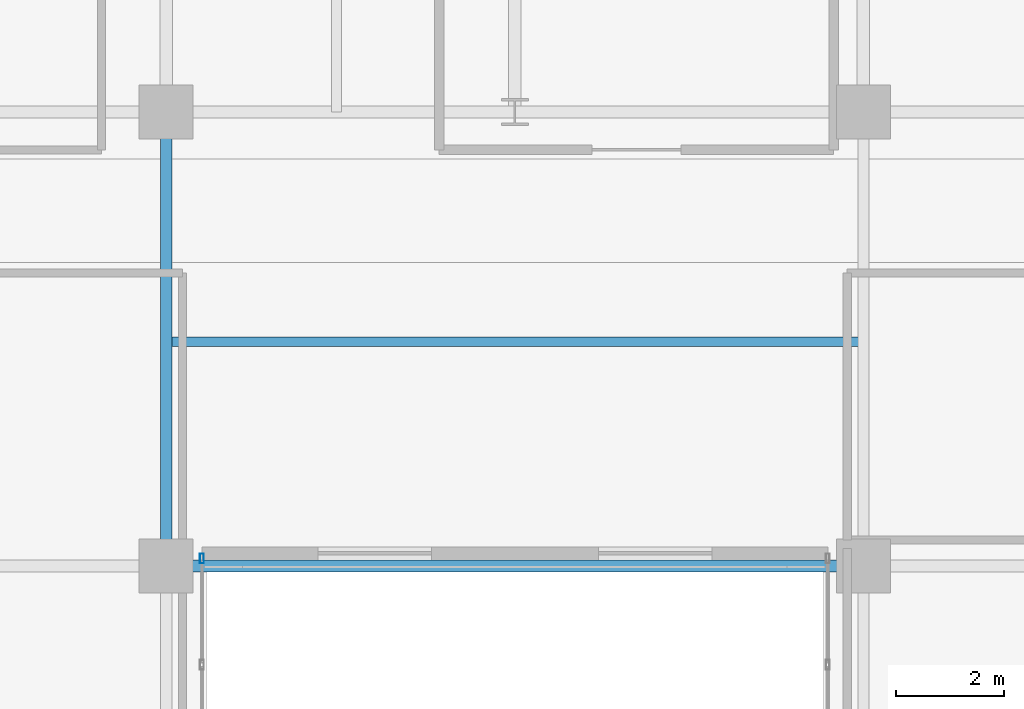
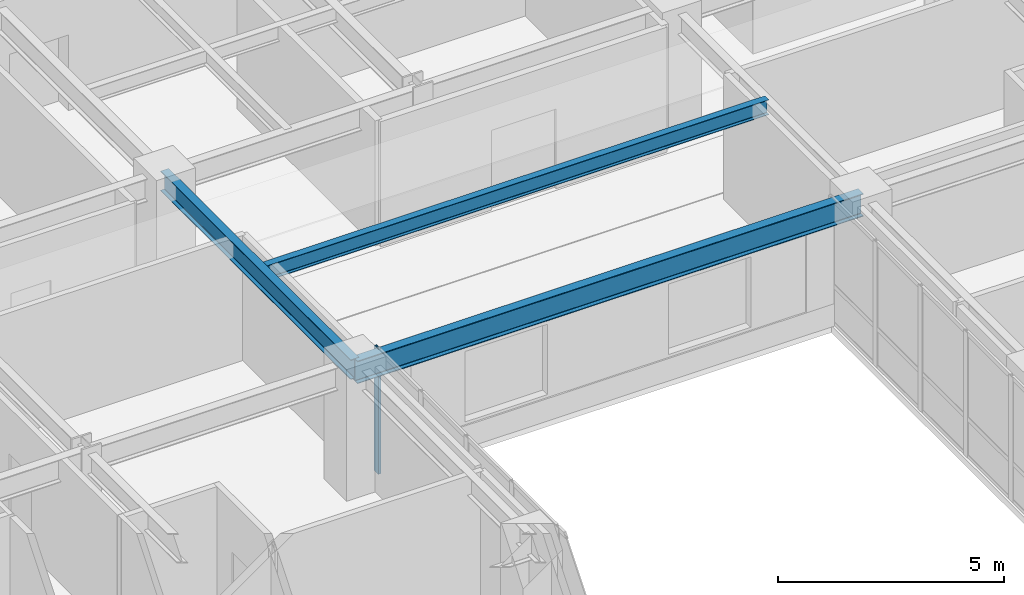
# One storey, part 12 of 37: 3 beams, 1 member, 1 element without a shape of its own.
"""IFC4 building model written with IfcOpenShell, lengths in metres."""

from ifc_helpers import new_model, si_unit, direction, frame, origin, origin_2d, place, context, subcontext, project, spatial, hollow_rectangle, i_section, extrude, source, transform, mapped, material, layer, layer_set, material_profile, profile_set, type_object, type_shapes, element, aggregate, save


model = new_model("IFC4")

# Units and contexts
model_context = context("Model", 3, precision=1e-05, world=origin(), true_north=direction((0.0, 1.0)))
body_context = subcontext(model_context, "Body", "Model", "MODEL_VIEW")
ifc_project = project(units=[si_unit("LENGTHUNIT", "METRE"), si_unit("AREAUNIT", "SQUARE_METRE"), si_unit("VOLUMEUNIT", "CUBIC_METRE"), si_unit("PLANEANGLEUNIT", "RADIAN"), si_unit("MASSUNIT", "GRAM", prefix="KILO")], contexts=[model_context])

# Site, building, storey
site_placement = place(None, origin())
site = spatial("IfcSite", under=ifc_project, at=site_placement, CompositionType="ELEMENT")
building_placement = place(site_placement, origin())
building = spatial("IfcBuilding", under=site, at=building_placement, Name="Tolvann Quenvar Hotel", CompositionType="ELEMENT")
storey_placement = place(building_placement, frame((0.0, 0.0, 53.300048828125)))
storey = spatial("IfcBuildingStorey", under=building, at=storey_placement, Name="L12", CompositionType="ELEMENT", Elevation=53.300048828125)

# Beams
ifc_material_1 = material(Name="Steel Grade 350", Category="steel")
ifc_material_profile_1 = material_profile(ifc_material_1, i_section(OverallWidth=0.22900390625, OverallDepth=0.612060546875, WebThickness=0.011962890625, FlangeThickness=0.01953125, FilletRadius=0.013916015625, at=origin_2d()), Name="610UB125")
ifc_profile_set_1 = profile_set([ifc_material_profile_1], Name="Steel Grade 350")
beam_type_1 = type_object("IfcBeamType", Name="BM_GIRD_610UB125", PredefinedType="BEAM", material=ifc_profile_set_1)
shared_shape_1 = source(origin(), body_context, "Body", "SweptSolid", [
    extrude(i_section(OverallWidth=0.22900390625, OverallDepth=0.612060546875, WebThickness=0.011962890625, FlangeThickness=0.01953125, FilletRadius=0.013916015625, at=origin_2d()), origin(), (0.0, 0.0, 1.0), 12.89990234375),
])
type_shapes(beam_type_1, [shared_shape_1])
beam_1_placement = place(storey_placement, frame((22.050048828125, 16.0, 3.06396484375), z_axis=(1.0, 0.0, 0.0), x_axis=(0.0, 1.0, 0.0)))
element("IfcBeam", 1, at=beam_1_placement, inside=storey, type_object=beam_type_1, Name="BM-L12-EW-4-E4-F4", PredefinedType="BEAM", context=body_context, shape_type="MappedRepresentation", body=[
    mapped(shared_shape_1, transform((0.0, 0.0, 0.0), x_axis=(1.0, 0.0, 0.0), y_axis=(0.0, 1.0, 0.0), z_axis=(0.0, 0.0, 1.0), scale=1.0)),
])
ifc_material_profile_2 = material_profile(ifc_material_1, i_section(OverallWidth=0.208984375, OverallDepth=0.532958984375, WebThickness=0.01025390625, FlangeThickness=0.015625, FilletRadius=0.013916015625, at=origin_2d()), Name="530UB92")
ifc_profile_set_2 = profile_set([ifc_material_profile_2], Name="Steel Grade 350")
beam_type_2 = type_object("IfcBeamType", Name="BM_GIRD_530UB92", PredefinedType="BEAM", material=ifc_profile_set_2)
shared_shape_2 = source(origin(), body_context, "Body", "SweptSolid", [
    extrude(i_section(OverallWidth=0.208984375, OverallDepth=0.532958984375, WebThickness=0.01025390625, FlangeThickness=0.015625, FilletRadius=0.013916015625, at=origin_2d()), origin(), (0.0, 0.0, 1.0), 8.39990234375),
])
type_shapes(beam_type_2, [shared_shape_2])
beam_2_placement = place(storey_placement, frame((22.050048828125, 16.0, 3.103515625), z_axis=(0.0, 1.0, 0.0), x_axis=(-1.0, 0.0, 0.0)))
element("IfcBeam", 2, at=beam_2_placement, inside=storey, type_object=beam_type_2, Name="BM-L12-NS-E4-E5", PredefinedType="BEAM", context=body_context, shape_type="MappedRepresentation", body=[
    mapped(shared_shape_2, transform((0.0, 0.0, 0.0), x_axis=(1.0, 0.0, 0.0), y_axis=(0.0, 1.0, 0.0), z_axis=(0.0, 0.0, 1.0), scale=1.0)),
])
ifc_material_profile_3 = material_profile(ifc_material_1, i_section(OverallWidth=0.177978515625, OverallDepth=0.406005859375, WebThickness=0.0078125, FlangeThickness=0.0126953125, FilletRadius=0.011474609375, at=origin_2d()), Name="410UB60")
ifc_profile_set_3 = profile_set([ifc_material_profile_3], Name="Steel Grade 350")
beam_type_3 = type_object("IfcBeamType", Name="BM_JOIST_410UB60", PredefinedType="JOIST", material=ifc_profile_set_3)
shared_shape_3 = source(origin(), body_context, "Body", "SweptSolid", [
    extrude(i_section(OverallWidth=0.177978515625, OverallDepth=0.406005859375, WebThickness=0.0078125, FlangeThickness=0.0126953125, FilletRadius=0.011474609375, at=origin_2d()), origin(), (0.0, 0.0, 1.0), 12.89990234375),
])
type_shapes(beam_type_3, [shared_shape_3])
beam_3_placement = place(storey_placement, frame((22.050048828125, 20.14990234375, 3.1669921875), z_axis=(1.0, 0.0, 0.0), x_axis=(0.0, 1.0, 0.0)))
element("IfcBeam", 3, at=beam_3_placement, inside=storey, type_object=beam_type_3, Name="BM-L12-SPINE-20", PredefinedType="JOIST", context=body_context, shape_type="MappedRepresentation", body=[
    mapped(shared_shape_3, transform((0.0, 0.0, 0.0), x_axis=(1.0, 0.0, 0.0), y_axis=(0.0, 1.0, 0.0), z_axis=(0.0, 0.0, 1.0), scale=1.0)),
])

# Curtain wall, member
ifc_material_2 = material(Name="Thermally broken anodised architectural aluminium 6063-T6 and laminated low-E glass", Category="aluminium")
ifc_layer = layer(ifc_material_2, 0.179931640625)
ifc_layer_set = layer_set([ifc_layer], Name="Thermally broken anodised architectural aluminium 6063-T6 and laminated low-E glass")
curtain_wall_type = type_object("IfcCurtainWallType", Name="CW_SYS_SLOT_03", PredefinedType="USERDEFINED", material=ifc_layer_set)
curtain_wall_placement = place(storey_placement, origin())
curtain_wall = element("IfcCurtainWall", 4, at=curtain_wall_placement, inside=storey, type_object=curtain_wall_type, Name="Curtain Wall CW-SLOT-03 (CWR-L12-E05)", ObjectType="UNITISED CURTAIN WALL", PredefinedType="USERDEFINED")
ifc_material_3 = material(Name="Anodised architectural aluminium 6063-T6 framing", Category="aluminium")
ifc_material_profile_4 = material_profile(ifc_material_3, hollow_rectangle(XDim=0.070068359375, YDim=0.179931640625, WallThickness=0.00390625, at=origin_2d()), Name="180x70x4RHS")
ifc_profile_set_4 = profile_set([ifc_material_profile_4], Name="Anodised architectural aluminium 6063-T6 framing")
member_type = type_object("IfcMemberType", Name="CW_MULL_180x70", PredefinedType="MULLION", material=ifc_profile_set_4)
shared_shape_4 = source(origin(), body_context, "Body", "SweptSolid", [
    extrude(hollow_rectangle(XDim=0.070068359375, YDim=0.179931640625, WallThickness=0.00390625, at=origin_2d()), origin(), (0.0, 0.0, 1.0), 3.369873046875),
])
type_shapes(member_type, [shared_shape_4])
member_placement = place(storey_placement, frame((22.7099609375, 16.139892578125, 0.0), z_axis=(0.0, 0.0, 1.0), x_axis=(-1.0, 0.0, 0.0)))
member = element("IfcMember", 5, at=member_placement, type_object=member_type, Name="CW-SLOT-03 mullion 9", PredefinedType="MULLION", context=body_context, shape_type="MappedRepresentation", body=[
    mapped(shared_shape_4, transform((0.0, 0.0, 0.0), x_axis=(1.0, 0.0, 0.0), y_axis=(0.0, 1.0, 0.0), z_axis=(0.0, 0.0, 1.0), scale=1.0)),
])
aggregate(curtain_wall, [member])

save(model, "model.ifc")
